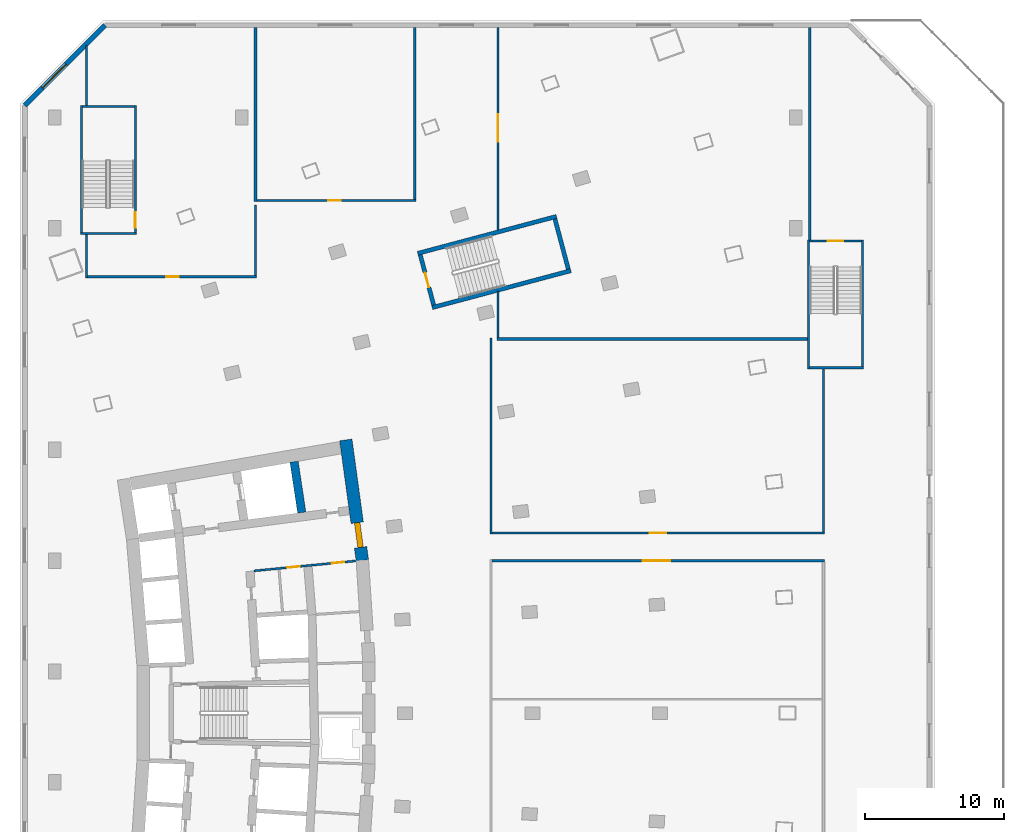
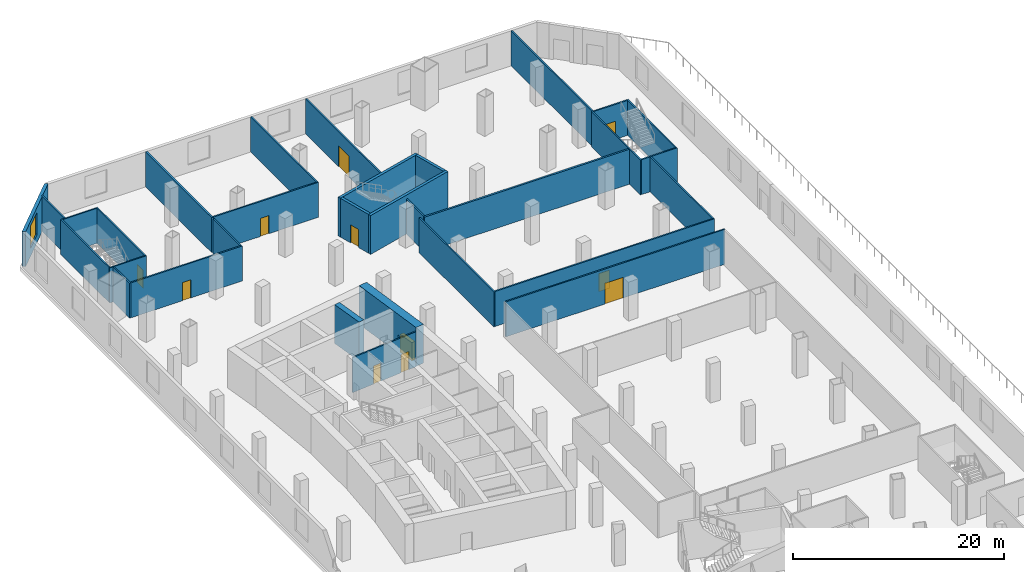
# One storey, part 7 of 14: 31 walls, 11 doors, 1 window, 12 openings.
"""IFC4 building model written with IfcOpenShell, lengths in metres."""

from ifc_helpers import new_model, si_unit, direction, frame, frame_2d, origin, place, context, subcontext, project, spatial, rectangle, extrude, material, layer, layer_set, type_object, element, fill, save


model = new_model("IFC4")

# Units and contexts
model_context = context("Model", 3, precision=1e-05, world=origin(), true_north=direction((0.0, 1.0)))
body_context = subcontext(model_context, "Body", "Model", "MODEL_VIEW")
ifc_project = project(units=[si_unit("LENGTHUNIT", "METRE"), si_unit("AREAUNIT", "SQUARE_METRE"), si_unit("VOLUMEUNIT", "CUBIC_METRE"), si_unit("PLANEANGLEUNIT", "RADIAN"), si_unit("MASSUNIT", "GRAM", prefix="KILO")], contexts=[model_context])

# Site, building, storey
site_placement = place(None, origin())
site = spatial("IfcSite", under=ifc_project, at=site_placement, CompositionType="ELEMENT")
building_placement = place(site_placement, origin())
building = spatial("IfcBuilding", under=site, at=building_placement, Name="Alderwake Tower", CompositionType="ELEMENT")
storey_placement = place(building_placement, frame((0.0, 0.0, 23.0)))
storey = spatial("IfcBuildingStorey", under=building, at=storey_placement, Name="L04", CompositionType="ELEMENT", Elevation=23.0)

# Wall, openings, doors
ifc_material_1 = material(Name="Gypsum shaft wall system, rated")
ifc_layer_1 = layer(ifc_material_1, 0.14990234375)
ifc_layer_set_1 = layer_set([ifc_layer_1], Name="Core room partition 150")
wall_type_1 = type_object("IfcWallType", Name="Core room partition 150", PredefinedType="PARTITIONING", material=ifc_layer_set_1)
wall_1_placement = place(storey_placement, frame((32.233642578125, 71.982177734375, 0.0), z_axis=(0.0, 0.0, 1.0), x_axis=(-0.995245540971, -0.097397706226, 0.0)))
wall_1 = element("IfcWall", 1, at=wall_1_placement, inside=storey, type_object=wall_type_1, Name="CW/L04/PR+102_+86", PredefinedType="PARTITIONING", context=body_context, shape_type="SweptSolid", body=[
    extrude(rectangle(XDim=7.36962890625, YDim=0.14990234375, at=frame_2d((3.684814453125, 0.0))), origin(), (0.0, 0.0, 1.0), 4.050048828125),
])
opening_1_placement = place(wall_1_placement, frame((4.069580078125, 0.0, 0.0)))
opening_1 = element("IfcOpeningElement", 2, at=opening_1_placement, cuts=wall_1, Name="Opening C022", PredefinedType="OPENING", context=body_context, shape_type="SweptSolid", body=[
    extrude(rectangle(XDim=0.89990234375, YDim=2.10009765625, at=frame_2d((0.449951171875, 1.050048828125))), frame((0.0, 0.0849609375, 0.0), z_axis=(0.0, -1.0, 0.0), x_axis=(1.0, 0.0, 0.0)), (0.0, 0.0, 1.0), 0.169921875),
])
opening_2_placement = place(wall_1_placement, frame((0.819580078125, 0.0, 0.0)))
opening_2 = element("IfcOpeningElement", 3, at=opening_2_placement, cuts=wall_1, Name="Opening C036", PredefinedType="OPENING", context=body_context, shape_type="SweptSolid", body=[
    extrude(rectangle(XDim=0.89990234375, YDim=2.10009765625, at=frame_2d((0.449951171875, 1.050048828125))), frame((0.0, 0.0849609375, 0.0), z_axis=(0.0, -1.0, 0.0), x_axis=(1.0, 0.0, 0.0)), (0.0, 0.0, 1.0), 0.169921875),
])
ifc_material_2 = material(Name="Painted steel leaf", Category="steel")
door_type_1 = type_object("IfcDoorType", Name="Core room door 900", OperationType="SINGLE_SWING_LEFT", PredefinedType="DOOR", material=ifc_material_2)
door_1_placement = place(opening_1_placement, origin())
door_1 = element("IfcDoor", 4, at=door_1_placement, inside=storey, type_object=door_type_1, Name="Room door", OperationType="SINGLE_SWING_RIGHT", OverallHeight=2.10009765625, OverallWidth=0.89990234375, PredefinedType="DOOR", context=body_context, shape_type="SweptSolid", body=[
    extrude(rectangle(XDim=0.89990234375, YDim=2.10009765625, at=frame_2d((0.449951171875, 1.050048828125))), frame((0.0, 0.02490234375, 0.0), z_axis=(0.0, -1.0, 0.0), x_axis=(1.0, 0.0, 0.0)), (0.0, 0.0, 1.0), 0.050048828125),
])
fill(opening_1, door_1)
door_2_placement = place(opening_2_placement, origin())
door_2 = element("IfcDoor", 5, at=door_2_placement, inside=storey, type_object=door_type_1, Name="Room door", OperationType="SINGLE_SWING_LEFT", OverallHeight=2.10009765625, OverallWidth=0.89990234375, PredefinedType="DOOR", context=body_context, shape_type="SweptSolid", body=[
    extrude(rectangle(XDim=0.89990234375, YDim=2.10009765625, at=frame_2d((0.449951171875, 1.050048828125))), frame((0.0, 0.02490234375, 0.0), z_axis=(0.0, -1.0, 0.0), x_axis=(1.0, 0.0, 0.0)), (0.0, 0.0, 1.0), 0.050048828125),
])
fill(opening_2, door_2)

# Wall, opening, door
ifc_material_3 = material(Name="Concrete C70/85", Category="concrete")
ifc_layer_2 = layer(ifc_material_3, 0.89990234375)
ifc_layer_set_2 = layer_set([ifc_layer_2], Name="Core wall outer 900 C70-85")
wall_type_2 = type_object("IfcWallType", Name="Core wall outer 900 C70-85", PredefinedType="SHEAR", material=ifc_layer_set_2)
wall_2_placement = place(storey_placement, frame((31.520263671875, 80.7177734375, 0.0), z_axis=(0.0, 0.0, 1.0), x_axis=(0.135844728876, -0.990730139663, 0.0)))
wall_2 = element("IfcWall", 6, at=wall_2_placement, inside=storey, type_object=wall_type_2, Name="Core wall CW.009", PredefinedType="SHEAR", context=body_context, shape_type="SweptSolid", body=[
    extrude(rectangle(XDim=8.78662109375, YDim=0.89990234375, at=frame_2d((4.393310546875, 0.0))), origin(), (0.0, 0.0, 1.0), 4.5),
])
opening_3_placement = place(wall_2_placement, frame((6.02978515625, 0.0, 0.0)))
opening_3 = element("IfcOpeningElement", 7, at=opening_3_placement, cuts=wall_2, Name="Opening C001", PredefinedType="OPENING", context=body_context, shape_type="SweptSolid", body=[
    extrude(rectangle(XDim=1.800048828125, YDim=2.10009765625, at=frame_2d((0.89990234375, 1.050048828125))), frame((0.0, 0.4599609375, 0.0), z_axis=(0.0, -1.0, 0.0), x_axis=(1.0, 0.0, 0.0)), (0.0, 0.0, 1.0), 0.919921875),
])
ifc_material_4 = material(Name="Steel-framed fire door leaves", Category="steel")
door_type_2 = type_object("IfcDoorType", Name="Core double door 1800 fire-rated", OperationType="DOUBLE_DOOR_SINGLE_SWING", PredefinedType="DOOR", material=ifc_material_4)
door_3_placement = place(opening_3_placement, origin())
door_3 = element("IfcDoor", 8, at=door_3_placement, inside=storey, type_object=door_type_2, Name="Lobby double door", OperationType="DOUBLE_DOOR_SINGLE_SWING", OverallHeight=2.10009765625, OverallWidth=1.800048828125, PredefinedType="DOOR", context=body_context, shape_type="SweptSolid", body=[
    extrude(rectangle(XDim=1.800048828125, YDim=2.10009765625, at=frame_2d((0.89990234375, 1.050048828125))), frame((0.0, 0.199951171875, 0.0), z_axis=(0.0, -1.0, 0.0), x_axis=(1.0, 0.0, 0.0)), (0.0, 0.0, 1.0), 0.39990234375),
])
fill(opening_3, door_3)

# Walls
ifc_material_5 = material(Name="Concrete C70/85", Category="concrete")
ifc_layer_3 = layer(ifc_material_5, 0.60009765625)
ifc_layer_set_3 = layer_set([ifc_layer_3], Name="Core wall spine 600 C70-85")
wall_type_3 = type_object("IfcWallType", Name="Core wall spine 600 C70-85", PredefinedType="SHEAR", material=ifc_layer_set_3)
wall_3_placement = place(storey_placement, frame((28.337646484375, 75.472412109375, 0.0), z_axis=(0.0, 0.0, 1.0), x_axis=(-0.149224787751, 0.988803298296, 0.0)))
element("IfcWall", 9, at=wall_3_placement, inside=storey, type_object=wall_type_3, Name="Core wall CW.001", PredefinedType="SHEAR", context=body_context, shape_type="SweptSolid", body=[
    extrude(rectangle(XDim=3.712158203125, YDim=0.60009765625, at=frame_2d((1.85595703125, 0.0))), origin(), (0.0, 0.0, 1.0), 4.5),
])
ifc_material_6 = material(Name="Concrete C70/85", Category="concrete")
ifc_layer_4 = layer(ifc_material_6, 0.300048828125)
ifc_layer_set_4 = layer_set([ifc_layer_4], Name="Core wall stair enclosure 300 C70-85")
wall_type_4 = type_object("IfcWallType", Name="Core wall stair enclosure 300 C70-85", PredefinedType="SHEAR", material=ifc_layer_set_4)
for number, where, z_axis, x_axis, name in (
    (10, (36.71142578125, 94.182373046875, 0.0), (0.0, 0.0, 1.0), (0.966309214305, 0.257383958996, 0.0), "Core wall CW.082"),
    (11, (37.75390625, 90.268798828125, 0.0), (0.0, 0.0, 1.0), (0.966309214305, 0.257383958996, 0.0), "Core wall CW.084"),
):
    element("IfcWall", number, at=place(storey_placement, frame(where, z_axis=z_axis, x_axis=x_axis)), inside=storey, type_object=wall_type_4, Name=name, PredefinedType="SHEAR", context=body_context, shape_type="SweptSolid", body=[
        extrude(rectangle(XDim=10.360107421875, YDim=0.300048828125, at=frame_2d((5.18017578125, 0.0))), origin(), (0.0, 0.0, 1.0), 4.5),
    ])

# Wall, opening, door
wall_4_placement = place(storey_placement, frame((37.8603515625, 90.452392578125, 0.0), z_axis=(0.0, 0.0, 1.0), x_axis=(-0.257411420208, 0.966301899381, 0.0)))
wall_4 = element("IfcWall", 12, at=wall_4_placement, inside=storey, type_object=wall_type_4, Name="Core wall CW.083", PredefinedType="SHEAR", context=body_context, shape_type="SweptSolid", body=[
    extrude(rectangle(XDim=3.750244140625, YDim=0.300048828125, at=frame_2d((1.875, 0.0))), origin(), (0.0, 0.0, 1.0), 4.5),
])
opening_4_placement = place(wall_4_placement, frame((1.324951171875, 0.0, 0.0)))
opening_4 = element("IfcOpeningElement", 13, at=opening_4_placement, cuts=wall_4, Name="Opening C062", PredefinedType="OPENING", context=body_context, shape_type="SweptSolid", body=[
    extrude(rectangle(XDim=1.10009765625, YDim=2.10009765625, at=frame_2d((0.550048828125, 1.050048828125))), frame((0.0, 0.159912109375, 0.0), z_axis=(0.0, -1.0, 0.0), x_axis=(1.0, 0.0, 0.0)), (0.0, 0.0, 1.0), 0.320068359375),
])
ifc_material_7 = material(Name="Steel-framed fire door leaf", Category="steel")
door_type_3 = type_object("IfcDoorType", Name="Core stair door 1100 fire-rated", OperationType="SINGLE_SWING_LEFT", PredefinedType="DOOR", material=ifc_material_7)
door_4_placement = place(opening_4_placement, origin())
door_4 = element("IfcDoor", 14, at=door_4_placement, inside=storey, type_object=door_type_3, Name="Stair door", OperationType="SINGLE_SWING_RIGHT", OverallHeight=2.10009765625, OverallWidth=1.10009765625, PredefinedType="DOOR", context=body_context, shape_type="SweptSolid", body=[
    extrude(rectangle(XDim=1.10009765625, YDim=2.10009765625, at=frame_2d((0.550048828125, 1.050048828125))), frame((0.0, 0.02490234375, 0.0), z_axis=(0.0, -1.0, 0.0), x_axis=(1.0, 0.0, 0.0)), (0.0, 0.0, 1.0), 0.050048828125),
])
fill(opening_4, door_4)

# Walls
wall_5_placement = place(storey_placement, frame((47.581298828125, 93.041748046875, 0.0), z_axis=(0.0, 0.0, 1.0), x_axis=(-0.257366821694, 0.966313778796, 0.0)))
element("IfcWall", 15, at=wall_5_placement, inside=storey, type_object=wall_type_4, Name="Core wall CW.081", PredefinedType="SHEAR", context=body_context, shape_type="SweptSolid", body=[
    extrude(rectangle(XDim=3.749755859375, YDim=0.300048828125, at=frame_2d((1.875, 0.0))), origin(), (0.0, 0.0, 1.0), 4.5),
])
ifc_material_8 = material(Name="Gypsum board on metal studs, rated")
ifc_layer_5 = layer(ifc_material_8, 0.159912109375)
ifc_layer_set_5 = layer_set([ifc_layer_5], Name="Corridor wall 160")
wall_type_5 = type_object("IfcWallType", Name="Corridor wall 160", PredefinedType="PARTITIONING", material=ifc_layer_set_5)
wall_6_placement = place(storey_placement, frame((12.801025390625, 92.4189453125, 0.0), z_axis=(0.0, 0.0, 1.0), x_axis=(0.0, 1.0, 0.0)))
element("IfcWall", 16, at=wall_6_placement, inside=storey, type_object=wall_type_5, Name="WL/L04/W25", PredefinedType="PARTITIONING", context=body_context, shape_type="SweptSolid", body=[
    extrude(rectangle(XDim=3.131103515625, YDim=0.159912109375, at=frame_2d((1.5654296875, 0.0))), origin(), (0.0, 0.0, 1.0), 4.050048828125),
])
wall_7_placement = place(storey_placement, frame((12.801025390625, 104.85009765625, 0.0), z_axis=(0.0, 0.0, 1.0), x_axis=(0.0, 1.0, 0.0)))
element("IfcWall", 17, at=wall_7_placement, inside=storey, type_object=wall_type_5, Name="WL/L04/W26", PredefinedType="PARTITIONING", context=body_context, shape_type="SweptSolid", body=[
    extrude(rectangle(XDim=4.322021484375, YDim=0.159912109375, at=frame_2d((2.1611328125, 0.0))), origin(), (0.0, 0.0, 1.0), 4.050048828125),
])

# Wall, opening, door
wall_8_placement = place(storey_placement, frame((25.0791015625, 92.4990234375, 0.0), z_axis=(0.0, 0.0, 1.0), x_axis=(-1.0, 0.0, 0.0)))
wall_8 = element("IfcWall", 18, at=wall_8_placement, inside=storey, type_object=wall_type_5, Name="WL/L04/W29", PredefinedType="PARTITIONING", context=body_context, shape_type="SweptSolid", body=[
    extrude(rectangle(XDim=12.197998046875, YDim=0.159912109375, at=frame_2d((6.09912109375, 0.0))), origin(), (0.0, 0.0, 1.0), 4.050048828125),
])
opening_5_placement = place(wall_8_placement, frame((5.62890625, 0.0, 0.0)))
opening_5 = element("IfcOpeningElement", 19, at=opening_5_placement, cuts=wall_8, Name="Opening L04-05", PredefinedType="OPENING", context=body_context, shape_type="SweptSolid", body=[
    extrude(rectangle(XDim=0.89990234375, YDim=2.10009765625, at=frame_2d((0.449951171875, 1.050048828125))), frame((0.0, 0.08984375, 0.0), z_axis=(0.0, -1.0, 0.0), x_axis=(1.0, 0.0, 0.0)), (0.0, 0.0, 1.0), 0.179931640625),
])
ifc_material_9 = material(Name="Painted timber leaf", Category="wood")
door_type_4 = type_object("IfcDoorType", Name="Room door 900", OperationType="SINGLE_SWING_LEFT", PredefinedType="DOOR", material=ifc_material_9)
door_5_placement = place(opening_5_placement, origin())
door_5 = element("IfcDoor", 20, at=door_5_placement, inside=storey, type_object=door_type_4, Name="DR/L04/05", OperationType="SINGLE_SWING_LEFT", OverallHeight=2.10009765625, OverallWidth=0.89990234375, PredefinedType="DOOR", context=body_context, shape_type="SweptSolid", body=[
    extrude(rectangle(XDim=0.89990234375, YDim=2.10009765625, at=frame_2d((0.449951171875, 1.050048828125))), frame((0.0, 0.02490234375, 0.0), z_axis=(0.0, -1.0, 0.0), x_axis=(1.0, 0.0, 0.0)), (0.0, 0.0, 1.0), 0.050048828125),
])
fill(opening_5, door_5)

# Wall
wall_9_placement = place(storey_placement, frame((24.9990234375, 97.667724609375, 0.0), z_axis=(0.0, 0.0, 1.0), x_axis=(0.0, -1.0, 0.0)))
element("IfcWall", 21, at=wall_9_placement, inside=storey, type_object=wall_type_5, Name="WL/L04/W30", PredefinedType="PARTITIONING", context=body_context, shape_type="SweptSolid", body=[
    extrude(rectangle(XDim=5.088623046875, YDim=0.159912109375, at=frame_2d((2.54443359375, 0.0))), origin(), (0.0, 0.0, 1.0), 4.050048828125),
])

# Wall, opening, door
wall_10_placement = place(storey_placement, frame((36.5810546875, 98.0009765625, 0.0), z_axis=(0.0, 0.0, 1.0), x_axis=(-1.0, 0.0, 0.0)))
wall_10 = element("IfcWall", 22, at=wall_10_placement, inside=storey, type_object=wall_type_5, Name="WL/L04/W31", PredefinedType="PARTITIONING", context=body_context, shape_type="SweptSolid", body=[
    extrude(rectangle(XDim=11.48193359375, YDim=0.159912109375, at=frame_2d((5.740966796875, 0.0))), origin(), (0.0, 0.0, 1.0), 4.050048828125),
])
opening_6_placement = place(wall_10_placement, frame((5.430908203125, 0.0, 0.0)))
opening_6 = element("IfcOpeningElement", 23, at=opening_6_placement, cuts=wall_10, Name="Opening L04-06", PredefinedType="OPENING", context=body_context, shape_type="SweptSolid", body=[
    extrude(rectangle(XDim=0.89990234375, YDim=2.10009765625, at=frame_2d((0.449951171875, 1.050048828125))), frame((0.0, 0.08984375, 0.0), z_axis=(0.0, -1.0, 0.0), x_axis=(1.0, 0.0, 0.0)), (0.0, 0.0, 1.0), 0.179931640625),
])
door_6_placement = place(opening_6_placement, origin())
door_6 = element("IfcDoor", 24, at=door_6_placement, inside=storey, type_object=door_type_4, Name="DR/L04/06", OperationType="SINGLE_SWING_LEFT", OverallHeight=2.10009765625, OverallWidth=0.89990234375, PredefinedType="DOOR", context=body_context, shape_type="SweptSolid", body=[
    extrude(rectangle(XDim=0.89990234375, YDim=2.10009765625, at=frame_2d((0.449951171875, 1.050048828125))), frame((0.0, 0.02490234375, 0.0), z_axis=(0.0, -1.0, 0.0), x_axis=(1.0, 0.0, 0.0)), (0.0, 0.0, 1.0), 0.050048828125),
])
fill(opening_6, door_6)

# Wall
wall_11_placement = place(storey_placement, frame((36.5009765625, 110.4990234375, 0.0), z_axis=(0.0, 0.0, 1.0), x_axis=(0.0, -1.0, 0.0)))
element("IfcWall", 25, at=wall_11_placement, inside=storey, type_object=wall_type_5, Name="WL/L04/W32", PredefinedType="PARTITIONING", context=body_context, shape_type="SweptSolid", body=[
    extrude(rectangle(XDim=12.41796875, YDim=0.159912109375, at=frame_2d((6.208984375, 0.0))), origin(), (0.0, 0.0, 1.0), 4.050048828125),
])

# Wall, opening, door
wall_12_placement = place(storey_placement, frame((42.080078125, 72.0, 0.0), z_axis=(0.0, 0.0, 1.0), x_axis=(1.0, 0.0, 0.0)))
wall_12 = element("IfcWall", 26, at=wall_12_placement, inside=storey, type_object=wall_type_5, Name="WL/L04/W40", PredefinedType="PARTITIONING", context=body_context, shape_type="SweptSolid", body=[
    extrude(rectangle(XDim=24.0, YDim=0.159912109375, at=frame_2d((12.0, 0.0))), origin(), (0.0, 0.0, 1.0), 4.050048828125),
])
opening_7_placement = place(wall_12_placement, frame((10.8701171875, 0.0, 0.0)))
opening_7 = element("IfcOpeningElement", 27, at=opening_7_placement, cuts=wall_12, Name="Opening L04-02", PredefinedType="OPENING", context=body_context, shape_type="SweptSolid", body=[
    extrude(rectangle(XDim=2.0, YDim=2.39990234375, at=frame_2d((1.0, 1.199951171875))), frame((0.0, 0.08984375, 0.0), z_axis=(0.0, -1.0, 0.0), x_axis=(1.0, 0.0, 0.0)), (0.0, 0.0, 1.0), 0.179931640625),
])
ifc_material_10 = material(Name="Timber leaves with glazed panels", Category="wood")
door_type_5 = type_object("IfcDoorType", Name="Hall double door 2000", OperationType="DOUBLE_DOOR_SINGLE_SWING", PredefinedType="DOOR", material=ifc_material_10)
door_7_placement = place(opening_7_placement, origin())
door_7 = element("IfcDoor", 28, at=door_7_placement, inside=storey, type_object=door_type_5, Name="DR/L04/02", OperationType="DOUBLE_DOOR_SINGLE_SWING", OverallHeight=2.39990234375, OverallWidth=2.0, PredefinedType="DOOR", context=body_context, shape_type="SweptSolid", body=[
    extrude(rectangle(XDim=2.0, YDim=2.39990234375, at=frame_2d((1.0, 1.199951171875))), frame((0.0, 0.02490234375, 0.0), z_axis=(0.0, -1.0, 0.0), x_axis=(1.0, 0.0, 0.0)), (0.0, 0.0, 1.0), 0.050048828125),
])
fill(opening_7, door_7)

# Walls
wall_13_placement = place(storey_placement, frame((42.0, 73.9208984375, 0.0), z_axis=(0.0, 0.0, 1.0), x_axis=(0.0, 1.0, 0.0)))
element("IfcWall", 29, at=wall_13_placement, inside=storey, type_object=wall_type_5, Name="WL/L04/W41", PredefinedType="PARTITIONING", context=body_context, shape_type="SweptSolid", body=[
    extrude(rectangle(XDim=14.158203125, YDim=0.159912109375, at=frame_2d((7.0791015625, 0.0))), origin(), (0.0, 0.0, 1.0), 4.050048828125),
])
wall_14_placement = place(storey_placement, frame((42.5009765625, 88.09912109375, 0.0), z_axis=(0.0, 0.0, 1.0), x_axis=(0.0, 1.0, 0.0)))
element("IfcWall", 30, at=wall_14_placement, inside=storey, type_object=wall_type_5, Name="WL/L04/W46", PredefinedType="PARTITIONING", context=body_context, shape_type="SweptSolid", body=[
    extrude(rectangle(XDim=3.35791015625, YDim=0.159912109375, at=frame_2d((1.678955078125, 0.0))), origin(), (0.0, 0.0, 1.0), 4.050048828125),
])

# Wall, opening, door
wall_15_placement = place(storey_placement, frame((42.5009765625, 95.8798828125, 0.0), z_axis=(0.0, 0.0, 1.0), x_axis=(0.0, 1.0, 0.0)))
wall_15 = element("IfcWall", 31, at=wall_15_placement, inside=storey, type_object=wall_type_5, Name="WL/L04/W48", PredefinedType="PARTITIONING", context=body_context, shape_type="SweptSolid", body=[
    extrude(rectangle(XDim=14.619140625, YDim=0.159912109375, at=frame_2d((7.3095703125, 0.0))), origin(), (0.0, 0.0, 1.0), 4.050048828125),
])
opening_8_placement = place(wall_15_placement, frame((6.349365234375, 0.0, 0.0)))
opening_8 = element("IfcOpeningElement", 32, at=opening_8_placement, cuts=wall_15, Name="Opening L04-04", PredefinedType="OPENING", context=body_context, shape_type="SweptSolid", body=[
    extrude(rectangle(XDim=2.0, YDim=2.39990234375, at=frame_2d((1.0, 1.199951171875))), frame((0.0, 0.08984375, 0.0), z_axis=(0.0, -1.0, 0.0), x_axis=(1.0, 0.0, 0.0)), (0.0, 0.0, 1.0), 0.179931640625),
])
door_8_placement = place(opening_8_placement, origin())
door_8 = element("IfcDoor", 33, at=door_8_placement, inside=storey, type_object=door_type_5, Name="DR/L04/04", OperationType="DOUBLE_DOOR_SINGLE_SWING", OverallHeight=2.39990234375, OverallWidth=2.0, PredefinedType="DOOR", context=body_context, shape_type="SweptSolid", body=[
    extrude(rectangle(XDim=2.0, YDim=2.39990234375, at=frame_2d((1.0, 1.199951171875))), frame((0.0, 0.02490234375, 0.0), z_axis=(0.0, -1.0, 0.0), x_axis=(1.0, 0.0, 0.0)), (0.0, 0.0, 1.0), 0.050048828125),
])
fill(opening_8, door_8)

# Wall
wall_16_placement = place(storey_placement, frame((65.0009765625, 110.4990234375, 0.0), z_axis=(0.0, 0.0, 1.0), x_axis=(0.0, -1.0, 0.0)))
element("IfcWall", 34, at=wall_16_placement, inside=storey, type_object=wall_type_5, Name="WL/L04/W57", PredefinedType="PARTITIONING", context=body_context, shape_type="SweptSolid", body=[
    extrude(rectangle(XDim=15.34814453125, YDim=0.159912109375, at=frame_2d((7.674072265625, 0.0))), origin(), (0.0, 0.0, 1.0), 4.050048828125),
])

# Wall, opening, door
wall_17_placement = place(storey_placement, frame((66.080078125, 74.0009765625, 0.0), z_axis=(0.0, 0.0, 1.0), x_axis=(-1.0, 0.0, 0.0)))
wall_17 = element("IfcWall", 35, at=wall_17_placement, inside=storey, type_object=wall_type_5, Name="WL/L04/W62", PredefinedType="PARTITIONING", context=body_context, shape_type="SweptSolid", body=[
    extrude(rectangle(XDim=24.0, YDim=0.159912109375, at=frame_2d((12.0, 0.0))), origin(), (0.0, 0.0, 1.0), 4.050048828125),
])
opening_9_placement = place(wall_17_placement, frame((11.429931640625, 0.0, 0.0)))
opening_9 = element("IfcOpeningElement", 36, at=opening_9_placement, cuts=wall_17, Name="Opening L04-03", PredefinedType="OPENING", context=body_context, shape_type="SweptSolid", body=[
    extrude(rectangle(XDim=1.199951171875, YDim=2.10009765625, at=frame_2d((0.60009765625, 1.050048828125))), frame((0.0, 0.08984375, 0.0), z_axis=(0.0, -1.0, 0.0), x_axis=(1.0, 0.0, 0.0)), (0.0, 0.0, 1.0), 0.179931640625),
])
ifc_material_11 = material(Name="Steel door leaf in steel frame", Category="steel")
door_type_6 = type_object("IfcDoorType", Name="Plant room door 1200 steel", OperationType="SINGLE_SWING_LEFT", PredefinedType="DOOR", material=ifc_material_11)
door_9_placement = place(opening_9_placement, origin())
door_9 = element("IfcDoor", 37, at=door_9_placement, inside=storey, type_object=door_type_6, Name="DR/L04/03", OperationType="SINGLE_SWING_LEFT", OverallHeight=2.10009765625, OverallWidth=1.199951171875, PredefinedType="DOOR", context=body_context, shape_type="SweptSolid", body=[
    extrude(rectangle(XDim=1.199951171875, YDim=2.10009765625, at=frame_2d((0.60009765625, 1.050048828125))), frame((0.0, 0.02490234375, 0.0), z_axis=(0.0, -1.0, 0.0), x_axis=(1.0, 0.0, 0.0)), (0.0, 0.0, 1.0), 0.050048828125),
])
fill(opening_9, door_9)

# Wall
wall_18_placement = place(storey_placement, frame((66.0, 85.85107421875, 0.0), z_axis=(0.0, 0.0, 1.0), x_axis=(0.0, -1.0, 0.0)))
element("IfcWall", 38, at=wall_18_placement, inside=storey, type_object=wall_type_5, Name="WL/L04/W63", PredefinedType="PARTITIONING", context=body_context, shape_type="SweptSolid", body=[
    extrude(rectangle(XDim=11.77001953125, YDim=0.159912109375, at=frame_2d((5.885009765625, 0.0))), origin(), (0.0, 0.0, 1.0), 4.050048828125),
])

# Wall, opening, window
ifc_material_12 = material(Name="Precast concrete C50/60 spandrel panel", Category="concrete")
ifc_layer_6 = layer(ifc_material_12, 0.35009765625)
ifc_layer_set_6 = layer_set([ifc_layer_6], Name="External wall EW4 Precast concrete C50/60 podium")
wall_type_6 = type_object("IfcWallType", Name="External wall EW4 Precast concrete C50/60 podium", PredefinedType="SOLIDWALL", material=ifc_layer_set_6)
wall_19_placement = place(storey_placement, frame((14.14501953125, 110.64990234375, 0.0), z_axis=(0.0, 0.0, 1.0), x_axis=(-0.707121649021, -0.707091913039, 0.0)))
wall_19 = element("IfcWall", 39, at=wall_19_placement, inside=storey, type_object=wall_type_6, Name="External wall 14", PredefinedType="SOLIDWALL", context=body_context, shape_type="SweptSolid", body=[
    extrude(rectangle(XDim=8.210205078125, YDim=0.35009765625, at=frame_2d((4.10498046875, 0.0))), origin(), (0.0, 0.0, 1.0), 4.050048828125),
])
opening_10_placement = place(wall_19_placement, frame((3.992919921875, 0.0, 0.89990234375)))
opening_10 = element("IfcOpeningElement", 40, at=opening_10_placement, cuts=wall_19, Name="Opening W6", PredefinedType="OPENING", context=body_context, shape_type="SweptSolid", body=[
    extrude(rectangle(XDim=2.39990234375, YDim=2.60009765625, at=frame_2d((1.199951171875, 1.300048828125))), frame((0.0, 0.18505859375, 0.0), z_axis=(0.0, -1.0, 0.0), x_axis=(1.0, 0.0, 0.0)), (0.0, 0.0, 1.0), 0.3701171875),
])
ifc_material_13 = material(Name="Bronze tinted glass in aluminium frame", Category="aluminium")
window_type = type_object("IfcWindowType", Name="Window W6 podium", PartitioningType="DOUBLE_PANEL_VERTICAL", PredefinedType="WINDOW", material=ifc_material_13)
window_placement = place(opening_10_placement, origin())
window = element("IfcWindow", 41, at=window_placement, inside=storey, type_object=window_type, Name="Window W6 podium", OverallHeight=2.60009765625, OverallWidth=2.39990234375, PartitioningType="DOUBLE_PANEL_VERTICAL", PredefinedType="WINDOW", context=body_context, shape_type="SweptSolid", body=[
    extrude(rectangle(XDim=2.39990234375, YDim=2.60009765625, at=frame_2d((1.199951171875, 1.300048828125))), frame((0.0, 0.030029296875, 0.0), z_axis=(0.0, -1.0, 0.0), x_axis=(1.0, 0.0, 0.0)), (0.0, 0.0, 1.0), 0.06005859375),
])
fill(opening_10, window)

# Walls
ifc_material_14 = material(Name="Dense block masonry wall", Category="masonry")
ifc_layer_7 = layer(ifc_material_14, 0.199951171875)
ifc_layer_set_7 = layer_set([ifc_layer_7], Name="Party wall 200")
wall_type_7 = type_object("IfcWallType", Name="Party wall 200", PredefinedType="SOLIDWALL", material=ifc_layer_set_7)
wall_20_placement = place(storey_placement, frame((24.9990234375, 97.9208984375, 0.0), z_axis=(0.0, 0.0, 1.0), x_axis=(0.0, 1.0, 0.0)))
element("IfcWall", 42, at=wall_20_placement, inside=storey, type_object=wall_type_7, Name="WL/L04/W02", PredefinedType="SOLIDWALL", context=body_context, shape_type="SweptSolid", body=[
    extrude(rectangle(XDim=12.578125, YDim=0.199951171875, at=frame_2d((6.2890625, 0.0))), origin(), (0.0, 0.0, 1.0), 4.050048828125),
])
wall_21_placement = place(storey_placement, frame((64.85107421875, 87.9990234375, 0.0), z_axis=(0.0, 0.0, 1.0), x_axis=(-1.0, 0.0, 0.0)))
element("IfcWall", 43, at=wall_21_placement, inside=storey, type_object=wall_type_7, Name="WL/L04/W06", PredefinedType="SOLIDWALL", context=body_context, shape_type="SweptSolid", body=[
    extrude(rectangle(XDim=22.43017578125, YDim=0.199951171875, at=frame_2d((11.215087890625, 0.0))), origin(), (0.0, 0.0, 1.0), 4.050048828125),
])
ifc_material_15 = material(Name="Gypsum shaft wall system, rated")
ifc_layer_8 = layer(ifc_material_15, 0.14990234375)
ifc_layer_set_8 = layer_set([ifc_layer_8], Name="Riser and shaft wall 150")
wall_type_8 = type_object("IfcWallType", Name="Riser and shaft wall 150", PredefinedType="PARTITIONING", material=ifc_layer_set_8)
wall_22_placement = place(storey_placement, frame((12.35107421875, 95.625, 0.0), z_axis=(0.0, 0.0, 1.0), x_axis=(1.0, 0.0, 0.0)))
element("IfcWall", 44, at=wall_22_placement, inside=storey, type_object=wall_type_8, Name="WL/L04/W09", PredefinedType="PARTITIONING", context=body_context, shape_type="SweptSolid", body=[
    extrude(rectangle(XDim=4.0498046875, YDim=0.14990234375, at=frame_2d((2.02490234375, 0.0))), origin(), (0.0, 0.0, 1.0), 4.050048828125),
])

# Wall, opening, door
wall_23_placement = place(storey_placement, frame((65.0009765625, 95.075927734375, 0.0), z_axis=(0.0, 0.0, 1.0), x_axis=(1.0, 0.0, 0.0)))
wall_23 = element("IfcWall", 45, at=wall_23_placement, inside=storey, type_object=wall_type_8, Name="WL/L04/W22", PredefinedType="PARTITIONING", context=body_context, shape_type="SweptSolid", body=[
    extrude(rectangle(XDim=3.75, YDim=0.14990234375, at=frame_2d((1.875, 0.0))), origin(), (0.0, 0.0, 1.0), 4.050048828125),
])
opening_11_placement = place(wall_23_placement, frame((1.323974609375, 0.0, 0.0)))
opening_11 = element("IfcOpeningElement", 46, at=opening_11_placement, cuts=wall_23, Name="Opening L04-16", PredefinedType="OPENING", context=body_context, shape_type="SweptSolid", body=[
    extrude(rectangle(XDim=1.10009765625, YDim=2.10009765625, at=frame_2d((0.550048828125, 1.050048828125))), frame((0.0, 0.0849609375, 0.0), z_axis=(0.0, -1.0, 0.0), x_axis=(1.0, 0.0, 0.0)), (0.0, 0.0, 1.0), 0.169921875),
])
ifc_material_16 = material(Name="Steel-framed fire door leaf", Category="steel")
door_type_7 = type_object("IfcDoorType", Name="Stair door 1100 fire-rated", OperationType="SINGLE_SWING_LEFT", PredefinedType="DOOR", material=ifc_material_16)
door_10_placement = place(opening_11_placement, origin())
door_10 = element("IfcDoor", 47, at=door_10_placement, inside=storey, type_object=door_type_7, Name="DR/L04/16", OperationType="SINGLE_SWING_LEFT", OverallHeight=2.10009765625, OverallWidth=1.10009765625, PredefinedType="DOOR", context=body_context, shape_type="SweptSolid", body=[
    extrude(rectangle(XDim=1.10009765625, YDim=2.10009765625, at=frame_2d((0.550048828125, 1.050048828125))), frame((0.0, 0.02490234375, 0.0), z_axis=(0.0, -1.0, 0.0), x_axis=(1.0, 0.0, 0.0)), (0.0, 0.0, 1.0), 0.050048828125),
])
fill(opening_11, door_10)

# Wall
ifc_material_17 = material(Name="Concrete C40/50", Category="concrete")
ifc_layer_9 = layer(ifc_material_17, 0.14990234375)
ifc_layer_set_9 = layer_set([ifc_layer_9], Name="Stair shaft wall 150 C40/50")
wall_type_9 = type_object("IfcWallType", Name="Stair shaft wall 150 C40/50", PredefinedType="SHEAR", material=ifc_layer_set_9)
wall_24_placement = place(storey_placement, frame((12.426025390625, 104.85009765625, 0.0), z_axis=(0.0, 0.0, 1.0), x_axis=(0.0, -1.0, 0.0)))
element("IfcWall", 48, at=wall_24_placement, inside=storey, type_object=wall_type_9, Name="WL/L04/W10", PredefinedType="SHEAR", context=body_context, shape_type="SweptSolid", body=[
    extrude(rectangle(XDim=9.150146484375, YDim=0.14990234375, at=frame_2d((4.5751953125, 0.0))), origin(), (0.0, 0.0, 1.0), 4.050048828125),
])

# Wall, opening, door
wall_25_placement = place(storey_placement, frame((16.325927734375, 95.699951171875, 0.0), z_axis=(0.0, 0.0, 1.0), x_axis=(0.0, 1.0, 0.0)))
wall_25 = element("IfcWall", 49, at=wall_25_placement, inside=storey, type_object=wall_type_9, Name="WL/L04/W13", PredefinedType="SHEAR", context=body_context, shape_type="SweptSolid", body=[
    extrude(rectangle(XDim=9.150146484375, YDim=0.14990234375, at=frame_2d((4.5751953125, 0.0))), origin(), (0.0, 0.0, 1.0), 4.050048828125),
])
opening_12_placement = place(wall_25_placement, frame((0.35009765625, 0.0, 0.0)))
opening_12 = element("IfcOpeningElement", 50, at=opening_12_placement, cuts=wall_25, Name="Opening L04-15", PredefinedType="OPENING", context=body_context, shape_type="SweptSolid", body=[
    extrude(rectangle(XDim=1.10009765625, YDim=2.10009765625, at=frame_2d((0.550048828125, 1.050048828125))), frame((0.0, 0.0849609375, 0.0), z_axis=(0.0, -1.0, 0.0), x_axis=(1.0, 0.0, 0.0)), (0.0, 0.0, 1.0), 0.169921875),
])
door_11_placement = place(opening_12_placement, origin())
door_11 = element("IfcDoor", 51, at=door_11_placement, inside=storey, type_object=door_type_7, Name="DR/L04/15", OperationType="SINGLE_SWING_LEFT", OverallHeight=2.10009765625, OverallWidth=1.10009765625, PredefinedType="DOOR", context=body_context, shape_type="SweptSolid", body=[
    extrude(rectangle(XDim=1.10009765625, YDim=2.10009765625, at=frame_2d((0.550048828125, 1.050048828125))), frame((0.0, 0.02490234375, 0.0), z_axis=(0.0, -1.0, 0.0), x_axis=(1.0, 0.0, 0.0)), (0.0, 0.0, 1.0), 0.050048828125),
])
fill(opening_12, door_11)

# Walls
wall_26_placement = place(storey_placement, frame((16.2509765625, 104.77490234375, 0.0), z_axis=(0.0, 0.0, 1.0), x_axis=(-1.0, 0.0, 0.0)))
element("IfcWall", 52, at=wall_26_placement, inside=storey, type_object=wall_type_9, Name="WL/L04/W14", PredefinedType="SHEAR", context=body_context, shape_type="SweptSolid", body=[
    extrude(rectangle(XDim=3.75, YDim=0.14990234375, at=frame_2d((1.875, 0.0))), origin(), (0.0, 0.0, 1.0), 4.050048828125),
])
wall_27_placement = place(storey_placement, frame((64.926025390625, 85.85107421875, 0.0), z_axis=(0.0, 0.0, 1.0), x_axis=(0.0, 1.0, 0.0)))
element("IfcWall", 53, at=wall_27_placement, inside=storey, type_object=wall_type_9, Name="WL/L04/W17", PredefinedType="SHEAR", context=body_context, shape_type="SweptSolid", body=[
    extrude(rectangle(XDim=9.2998046875, YDim=0.14990234375, at=frame_2d((4.64990234375, 0.0))), origin(), (0.0, 0.0, 1.0), 4.050048828125),
])
wall_28_placement = place(storey_placement, frame((65.0009765625, 85.926025390625, 0.0), z_axis=(0.0, 0.0, 1.0), x_axis=(1.0, 0.0, 0.0)))
element("IfcWall", 54, at=wall_28_placement, inside=storey, type_object=wall_type_9, Name="WL/L04/W18", PredefinedType="SHEAR", context=body_context, shape_type="SweptSolid", body=[
    extrude(rectangle(XDim=3.89990234375, YDim=0.14990234375, at=frame_2d((1.949951171875, 0.0))), origin(), (0.0, 0.0, 1.0), 4.050048828125),
])
wall_29_placement = place(storey_placement, frame((68.825927734375, 86.0009765625, 0.0), z_axis=(0.0, 0.0, 1.0), x_axis=(0.0, 1.0, 0.0)))
element("IfcWall", 55, at=wall_29_placement, inside=storey, type_object=wall_type_9, Name="WL/L04/W21", PredefinedType="SHEAR", context=body_context, shape_type="SweptSolid", body=[
    extrude(rectangle(XDim=9.14990234375, YDim=0.14990234375, at=frame_2d((4.574951171875, 0.0))), origin(), (0.0, 0.0, 1.0), 4.050048828125),
])

save(model, "model.ifc")
